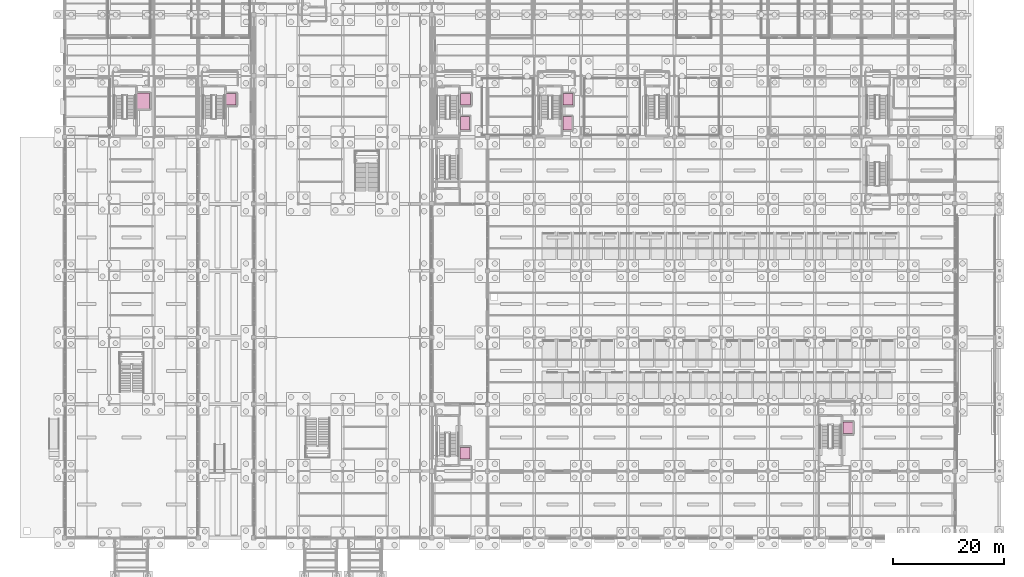
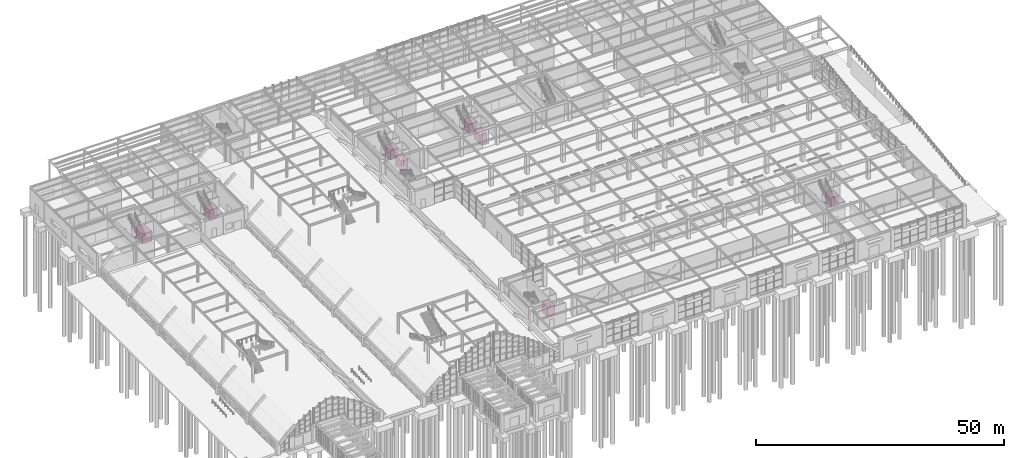
# One storey, part 129 of 129: 8 transport elements.
"""IFC4 building model written with IfcOpenShell, lengths in metres."""

from ifc_helpers import new_model, si_unit, direction, frame, origin, origin_2d, place, context, subcontext, project, spatial, rectangle, extrude, material, type_object, element, save


model = new_model("IFC4")

# Units and contexts
model_context = context("Model", 3, precision=1e-05, world=origin(), true_north=direction((0.0, 1.0)))
body_context = subcontext(model_context, "Body", "Model", "MODEL_VIEW")
ifc_project = project(units=[si_unit("LENGTHUNIT", "METRE"), si_unit("AREAUNIT", "SQUARE_METRE"), si_unit("VOLUMEUNIT", "CUBIC_METRE"), si_unit("PLANEANGLEUNIT", "RADIAN"), si_unit("MASSUNIT", "GRAM", prefix="KILO")], contexts=[model_context])

# Site, building, storey
site_placement = place(None, origin())
site = spatial("IfcSite", under=ifc_project, at=site_placement, CompositionType="ELEMENT")
building_placement = place(site_placement, origin())
building = spatial("IfcBuilding", under=site, at=building_placement, Name="Sitalva Quay Ferry Terminal", CompositionType="ELEMENT")
storey_placement = place(building_placement, origin())
storey = spatial("IfcBuildingStorey", under=building, at=storey_placement, Name="L01", CompositionType="ELEMENT", Elevation=0.0)

# Transport elements
ifc_material_1 = material(Name="Stainless Steel 316L", Category="steel")
transport_element_type_1 = type_object("IfcTransportElementType", Name="Lift_Firefighting_1600x2400", PredefinedType="ELEVATOR", material=ifc_material_1)
for number, where, z_axis, x_axis, name in (
    (1, (79.949951171875, 80.5, 0.0), (0.0, 0.0, 1.0), (1.0, 0.0, 0.0), "Firefighting lift car LF-01"),
    (2, (98.35009765625, 80.5, 0.0), (0.0, 0.0, 1.0), (1.0, 0.0, 0.0), "Firefighting lift car LF-02"),
):
    element("IfcTransportElement", number, at=place(storey_placement, frame(where, z_axis=z_axis, x_axis=x_axis)), inside=storey, type_object=transport_element_type_1, Name=name, PredefinedType="ELEVATOR", context=body_context, shape_type="SweptSolid", body=[
        extrude(rectangle(XDim=1.60009765625, YDim=2.39990234375, at=origin_2d()), origin(), (0.0, 0.0, 1.0), 2.39990234375),
    ])
ifc_material_2 = material(Name="Stainless Steel 316L", Category="steel")
transport_element_type_2 = type_object("IfcTransportElementType", Name="Lift_Goods_2200x2800", PredefinedType="ELEVATOR", material=ifc_material_2)
transport_element_placement = place(storey_placement, frame((22.14990234375, 84.5, 0.0), z_axis=(0.0, 0.0, 1.0), x_axis=(1.0, 0.0, 0.0)))
element("IfcTransportElement", 3, at=transport_element_placement, inside=storey, type_object=transport_element_type_2, Name="Goods lift car LF-08", PredefinedType="ELEVATOR", context=body_context, shape_type="SweptSolid", body=[
    extrude(rectangle(XDim=2.199951171875, YDim=2.800048828125, at=origin_2d()), origin(), (0.0, 0.0, 1.0), 2.5),
])
ifc_material_3 = material(Name="Stainless Steel 316L", Category="steel")
transport_element_type_3 = type_object("IfcTransportElementType", Name="Lift_Passenger_1800x2100", PredefinedType="ELEVATOR", material=ifc_material_3)
for number, where, z_axis, x_axis, name in (
    (4, (80.050048828125, 84.800048828125, 0.0), (0.0, 0.0, 1.0), (1.0, 0.0, 0.0), "Passenger lift car LF-03"),
    (5, (98.449951171875, 84.800048828125, 0.0), (0.0, 0.0, 1.0), (1.0, 0.0, 0.0), "Passenger lift car LF-04"),
    (6, (37.949951171875, 84.800048828125, 0.0), (0.0, 0.0, 1.0), (1.0, 0.0, 0.0), "Passenger lift car LF-05"),
    (7, (79.949951171875, 21.199951171875, 0.0), (0.0, 0.0, 1.0), (1.0, 0.0, 0.0), "Passenger lift car LF-06"),
    (8, (148.75, 25.800048828125, 0.0), (0.0, 0.0, 1.0), (1.0, 0.0, 0.0), "Passenger lift car LF-07"),
):
    element("IfcTransportElement", number, at=place(storey_placement, frame(where, z_axis=z_axis, x_axis=x_axis)), inside=storey, type_object=transport_element_type_3, Name=name, PredefinedType="ELEVATOR", context=body_context, shape_type="SweptSolid", body=[
        extrude(rectangle(XDim=1.800048828125, YDim=2.10009765625, at=origin_2d()), origin(), (0.0, 0.0, 1.0), 2.39990234375),
    ])

save(model, "model.ifc")
